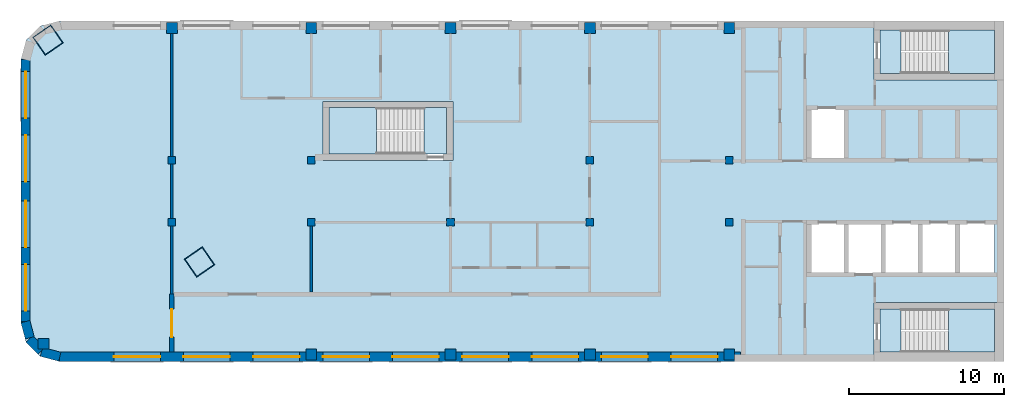
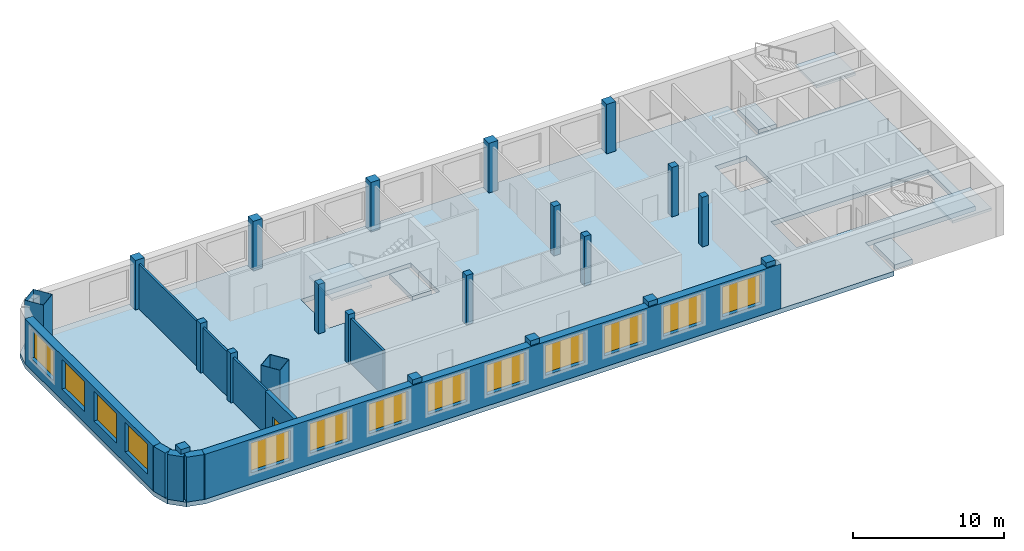
# One storey, part 1 of 5: 21 columns, 13 windows, 8 walls, 7 slabs, 1 door, 14 openings, 3 elements without a shape of their own.
"""IFC4 building model written with IfcOpenShell, lengths in metres."""

import ifcopenshell
import ifcopenshell.guid

model = None  # the IFC model being written
_history = None  # IfcOwnerHistory: only IFC2X3 demands one
_inside = {}  # id of a spatial element -> (the spatial element, [elements in it])
_under = {}  # id of a project, library or spatial element -> (it, [spatial elements below it])
_declared = {}  # id of a project -> (the project, [libraries it declares])
_typed = {}  # id of a type object -> (the type object, [elements of that type])
_made_of = {}  # id of a material, layer set ... -> (it, [elements and type objects made of it])


def new_model(schema):
    """Start an empty IFC model of exactly this schema.

    Asked for "IFC4X3", IfcOpenShell would pick the latest addendum, in which some entities
    have other attributes; the version numbers below select the first issue.
    IFC2X3 requires an IfcOwnerHistory on every rooted entity: one is made here for all.
    """
    global model, _history
    if schema == "IFC4X3":
        model = ifcopenshell.file(schema_version=(4, 3, 0, 0))
    else:
        model = ifcopenshell.file(schema=schema)
    _inside.clear()
    _under.clear()
    _declared.clear()
    _typed.clear()
    _made_of.clear()
    _history = None
    if model.schema == "IFC2X3":
        org = make("IfcOrganization", Name="unknown")
        user = make(
            "IfcPersonAndOrganization",
            ThePerson=make("IfcPerson", FamilyName="unknown"),
            TheOrganization=org,
        )
        app = make(
            "IfcApplication",
            ApplicationDeveloper=org,
            Version="unknown",
            ApplicationFullName="unknown",
            ApplicationIdentifier="unknown",
        )
        _history = make(
            "IfcOwnerHistory",
            OwningUser=user,
            OwningApplication=app,
            ChangeAction="ADDED",
            CreationDate=0,
        )
    return model


def make(cls, **values):
    """One entity of the class cls with the attributes given. An attribute that is None is left unset."""
    return model.create_entity(
        cls, **{name: value for name, value in values.items() if value is not None}
    )


def rooted(cls, **values):
    """An entity with a GlobalId (a new one), such as an element, a storey or a relation."""
    return make(cls, GlobalId=ifcopenshell.guid.new(), OwnerHistory=_history, **values)


def si_unit(unit_type, name, prefix=None):
    """IfcSIUnit, for example si_unit("LENGTHUNIT", "METRE", prefix="MILLI")."""
    return make("IfcSIUnit", UnitType=unit_type, Prefix=prefix, Name=name)


def assignment(units):
    """IfcUnitAssignment: the units of a project."""
    return None if units is None else make("IfcUnitAssignment", Units=units)


def point(xyz):
    """IfcCartesianPoint."""
    return None if xyz is None else make("IfcCartesianPoint", Coordinates=xyz)


def direction(xyz):
    """IfcDirection."""
    return None if xyz is None else make("IfcDirection", DirectionRatios=xyz)


def frame(location, z_axis=None, x_axis=None):
    """IfcAxis2Placement3D, a coordinate frame: its origin and axes. An axis left out is left unset."""
    return make(
        "IfcAxis2Placement3D",
        Location=point(location),
        Axis=direction(z_axis),
        RefDirection=direction(x_axis),
    )


def frame_2d(location, x_axis=None):
    """IfcAxis2Placement2D, a coordinate frame in the plane: its origin and x axis."""
    return make(
        "IfcAxis2Placement2D", Location=point(location), RefDirection=direction(x_axis)
    )


def origin():
    """The frame at (0, 0, 0) with its axes left unset."""
    return frame((0.0, 0.0, 0.0))


def origin_2d():
    """The frame at (0, 0) in the plane with its x axis left unset."""
    return frame_2d((0.0, 0.0))


def place(relative_to, where):
    """IfcLocalPlacement: puts the frame where relative to a parent placement (None: the world)."""
    return make(
        "IfcLocalPlacement", PlacementRelTo=relative_to, RelativePlacement=where
    )


def context(
    kind, dimensions, precision=None, world=None, true_north=None, identifier=None
):
    """IfcGeometricRepresentationContext, for example the 3D "Model" context."""
    return make(
        "IfcGeometricRepresentationContext",
        ContextIdentifier=identifier,
        ContextType=kind,
        CoordinateSpaceDimension=dimensions,
        Precision=precision,
        WorldCoordinateSystem=world,
        TrueNorth=true_north,
    )


def subcontext(parent, identifier, kind, view, scale=None):
    """IfcGeometricRepresentationSubContext, for example "Body" below "Model"."""
    return make(
        "IfcGeometricRepresentationSubContext",
        ContextIdentifier=identifier,
        ContextType=kind,
        ParentContext=parent,
        TargetScale=scale,
        TargetView=view,
    )


def project(units=None, contexts=None):
    """IfcProject with its units and contexts."""
    return rooted(
        "IfcProject",
        Name="project",
        RepresentationContexts=contexts,
        UnitsInContext=assignment(units),
    )


def spatial(cls, under=None, at=None, **own):
    """A site, building, storey or space (cls), placed at a placement, below another one or the project."""
    s = rooted(cls, ObjectPlacement=at, **own)
    if under is not None:
        _under.setdefault(under.id(), (under, []))[1].append(s)
    return s


def polyline(points):
    """IfcPolyline through the points."""
    return make("IfcPolyline", Points=[point(p) for p in points])


def profile(cls, at=None, kind="AREA", **sizes):
    """A parametric profile (cls). Its sizes go by their IFC names, for example OverallWidth=200.0."""
    return make(cls, ProfileType=kind, Position=at, **sizes)


def rectangle(**sizes):
    """IfcRectangleProfileDef."""
    return profile("IfcRectangleProfileDef", **sizes)


def hollow_rectangle(**sizes):
    """IfcRectangleHollowProfileDef."""
    return profile("IfcRectangleHollowProfileDef", **sizes)


def outline(outer, holes=None, kind="AREA"):
    """IfcArbitraryClosedProfileDef: a profile drawn as a closed curve; with holes, ...WithVoids."""
    if holes is None:
        return make("IfcArbitraryClosedProfileDef", ProfileType=kind, OuterCurve=outer)
    return make(
        "IfcArbitraryProfileDefWithVoids",
        ProfileType=kind,
        OuterCurve=outer,
        InnerCurves=holes,
    )


def extrude(swept, where, along, depth):
    """IfcExtrudedAreaSolid: the profile swept, set in the frame where, extruded along a direction by depth."""
    return make(
        "IfcExtrudedAreaSolid",
        SweptArea=swept,
        Position=where,
        ExtrudedDirection=direction(along),
        Depth=depth,
    )


def shape(context_of_items, identifier, shape_type, items):
    """IfcShapeRepresentation: the items that make up one representation, for example the "Body"."""
    return make(
        "IfcShapeRepresentation",
        ContextOfItems=context_of_items,
        RepresentationIdentifier=identifier,
        RepresentationType=shape_type,
        Items=items,
    )


def material(Name=None, Category=None):
    """IfcMaterial."""
    return make("IfcMaterial", Name=Name, Category=Category)


def layer(
    of_material, thickness, ventilated=None, Name=None, Category=None, Priority=None
):
    """IfcMaterialLayer: one layer of a wall or slab, of a material (None: an air gap)."""
    return make(
        "IfcMaterialLayer",
        Material=of_material,
        LayerThickness=thickness,
        IsVentilated=ventilated,
        Name=Name,
        Category=Category,
        Priority=Priority,
    )


def layer_set(layers, Name=None):
    """IfcMaterialLayerSet."""
    return make("IfcMaterialLayerSet", MaterialLayers=layers, LayerSetName=Name)


def material_profile(
    of_material, cross_section, Name=None, Category=None, Priority=None
):
    """IfcMaterialProfile: a cross section and its material."""
    return make(
        "IfcMaterialProfile",
        Name=Name,
        Material=of_material,
        Profile=cross_section,
        Priority=Priority,
        Category=Category,
    )


def profile_set(profiles, Name=None, composite=None):
    """IfcMaterialProfileSet."""
    return make(
        "IfcMaterialProfileSet",
        Name=Name,
        MaterialProfiles=profiles,
        CompositeProfile=composite,
    )


def made_of(thing, what):
    """Note that an element or type object is made of a material, layer set ...; save() writes the relation."""
    if what is not None:
        _made_of.setdefault(what.id(), (what, []))[1].append(thing)
    return thing


def type_object(cls, material=None, **own):
    """A type object (cls), such as IfcWallType, which elements share."""
    return made_of(rooted(cls, **own), material)


def element(
    cls,
    number,
    at=None,
    inside=None,
    cuts=None,
    type_object=None,
    material=None,
    context=None,
    identifier="Body",
    shape_type=None,
    held_by="IfcProductDefinitionShape",
    body=None,
    shapes=None,
    **own,
):
    """One element of the class cls, such as IfcWall. Its Tag is "e" and its number.

    at: its placement. inside: the storey or other place that contains it. cuts: it is an
    opening in that element (IfcRelVoidsElement). A single representation is given by context,
    identifier, shape_type and body (its items); several are given by shapes. held_by: the class
    of the entity that holds the representations. save() writes the other relations.
    """
    e = rooted(cls, Tag="e%d" % number, ObjectPlacement=at, **own)
    if body is not None:
        shapes = [shape(context, identifier, shape_type, body)]
    if shapes is not None:
        e.Representation = make(held_by, Representations=shapes)
    if inside is not None:
        _inside.setdefault(inside.id(), (inside, []))[1].append(e)
    if cuts is not None:
        rooted(
            "IfcRelVoidsElement", RelatingBuildingElement=cuts, RelatedOpeningElement=e
        )
    if type_object is not None:
        _typed.setdefault(type_object.id(), (type_object, []))[1].append(e)
    return made_of(e, material)


def fill(opening, filler):
    """IfcRelFillsElement: the door or window that sits in an opening."""
    return rooted(
        "IfcRelFillsElement",
        RelatingOpeningElement=opening,
        RelatedBuildingElement=filler,
    )


def aggregate(whole, parts):
    """IfcRelAggregates: a whole, such as a stair, and the parts it consists of."""
    return rooted("IfcRelAggregates", RelatingObject=whole, RelatedObjects=parts)


def save(model, path):
    """Write the relations noted so far, then the file.

    IfcRelAggregates (storeys below a building ...), IfcRelContainedInSpatialStructure (elements
    in a storey), IfcRelDefinesByType, IfcRelAssociatesMaterial and IfcRelDeclares: one each for
    every whole, place, type object, material and project.
    """
    for whole, parts in _under.values():
        aggregate(whole, parts)
    for where, things in _inside.values():
        rooted(
            "IfcRelContainedInSpatialStructure",
            RelatedElements=things,
            RelatingStructure=where,
        )
    for kind, things in _typed.values():
        rooted("IfcRelDefinesByType", RelatedObjects=things, RelatingType=kind)
    for what, things in _made_of.values():
        rooted("IfcRelAssociatesMaterial", RelatedObjects=things, RelatingMaterial=what)
    for by, libraries in _declared.values():
        rooted("IfcRelDeclares", RelatingContext=by, RelatedDefinitions=libraries)
    model.write(path)


model = new_model("IFC4")

# Units and contexts
model_context = context("Model", 3, precision=1e-05, world=origin(), true_north=direction((0.0, 1.0)))
body_context = subcontext(model_context, "Body", "Model", "MODEL_VIEW")
ifc_project = project(units=[si_unit("LENGTHUNIT", "METRE"), si_unit("AREAUNIT", "SQUARE_METRE"), si_unit("VOLUMEUNIT", "CUBIC_METRE"), si_unit("PLANEANGLEUNIT", "RADIAN"), si_unit("MASSUNIT", "GRAM", prefix="KILO")], contexts=[model_context])

# Site, building, storey
site_placement = place(None, origin())
site = spatial("IfcSite", under=ifc_project, at=site_placement, CompositionType="ELEMENT")
building_placement = place(site_placement, origin())
building = spatial("IfcBuilding", under=site, at=building_placement, Name="Skarvind Civic Tower", CompositionType="ELEMENT")
storey_placement = place(building_placement, frame((0.0, 0.0, 261.5)))
storey = spatial("IfcBuildingStorey", under=building, at=storey_placement, Name="L62", CompositionType="ELEMENT", Elevation=261.5)

# Columns
ifc_material_1 = material(Name="Concrete C60", Category="concrete")
ifc_material_profile_1 = material_profile(ifc_material_1, rectangle(XDim=0.5, YDim=0.5, at=origin_2d()), Name="RC-500x500")
ifc_profile_set_1 = profile_set([ifc_material_profile_1], Name="Concrete C60")
column_type_1 = type_object("IfcColumnType", Name="Column RC-500x500 C60", PredefinedType="COLUMN", material=ifc_profile_set_1)
for number, where, z_axis, x_axis, name in (
    (1, (54.25, 130.0, 0.0), (0.0, 0.0, 1.0), (1.0, 0.0, 0.0), "Column wing 1 north inner 02 L62"),
    (2, (63.25, 130.0, 0.0), (0.0, 0.0, 1.0), (1.0, 0.0, 0.0), "Column wing 1 north inner 03 L62"),
    (3, (81.25, 130.0, 0.0), (0.0, 0.0, 1.0), (1.0, 0.0, 0.0), "Column wing 1 north inner 05 L62"),
    (4, (90.25, 130.0, 0.0), (0.0, 0.0, 1.0), (1.0, 0.0, 0.0), "Column wing 1 north inner 06 L62"),
    (5, (54.25, 126.0, 0.0), (0.0, 0.0, 1.0), (1.0, 0.0, 0.0), "Column wing 1 south inner 02 L62"),
    (6, (63.25, 126.0, 0.0), (0.0, 0.0, 1.0), (1.0, 0.0, 0.0), "Column wing 1 south inner 03 L62"),
    (7, (72.25, 126.0, 0.0), (0.0, 0.0, 1.0), (1.0, 0.0, 0.0), "Column wing 1 south inner 04 L62"),
    (8, (81.25, 126.0, 0.0), (0.0, 0.0, 1.0), (1.0, 0.0, 0.0), "Column wing 1 south inner 05 L62"),
    (9, (90.25, 126.0, 0.0), (0.0, 0.0, 1.0), (1.0, 0.0, 0.0), "Column wing 1 south inner 06 L62"),
):
    element("IfcColumn", number, at=place(storey_placement, frame(where, z_axis=z_axis, x_axis=x_axis)), inside=storey, type_object=column_type_1, Name=name, PredefinedType="COLUMN", context=body_context, shape_type="SweptSolid", body=[
        extrude(rectangle(XDim=0.5, YDim=0.5, at=origin_2d()), origin(), (0.0, 0.0, 1.0), 4.0),
    ])
ifc_material_profile_2 = material_profile(ifc_material_1, rectangle(XDim=0.699951171875, YDim=0.699951171875, at=origin_2d()), Name="RC-700x700")
ifc_profile_set_2 = profile_set([ifc_material_profile_2], Name="Concrete C60")
column_type_2 = type_object("IfcColumnType", Name="Column RC-700x700 C60", PredefinedType="COLUMN", material=ifc_profile_set_2)
for number, where, z_axis, x_axis, name in (
    (10, (54.25, 138.550048828125, 0.0), (0.0, 0.0, 1.0), (1.0, 0.0, 0.0), "Column wing 1 north perimeter 02 L62"),
    (11, (63.25, 138.550048828125, 0.0), (0.0, 0.0, 1.0), (1.0, 0.0, 0.0), "Column wing 1 north perimeter 03 L62"),
    (12, (72.25, 138.550048828125, 0.0), (0.0, 0.0, 1.0), (1.0, 0.0, 0.0), "Column wing 1 north perimeter 04 L62"),
    (13, (81.25, 138.550048828125, 0.0), (0.0, 0.0, 1.0), (1.0, 0.0, 0.0), "Column wing 1 north perimeter 05 L62"),
    (14, (90.25, 138.550048828125, 0.0), (0.0, 0.0, 1.0), (1.0, 0.0, 0.0), "Column wing 1 north perimeter 06 L62"),
    (15, (45.95166015625, 118.151611328125, 0.0), (0.0, 0.0, 1.0), (1.0, 0.0, 0.0), "Column wing 1 south perimeter 01 L62"),
    (16, (63.25, 117.449951171875, 0.0), (0.0, 0.0, 1.0), (1.0, 0.0, 0.0), "Column wing 1 south perimeter 03 L62"),
    (17, (72.25, 117.449951171875, 0.0), (0.0, 0.0, 1.0), (1.0, 0.0, 0.0), "Column wing 1 south perimeter 04 L62"),
    (18, (81.25, 117.449951171875, 0.0), (0.0, 0.0, 1.0), (1.0, 0.0, 0.0), "Column wing 1 south perimeter 05 L62"),
    (19, (90.25, 117.449951171875, 0.0), (0.0, 0.0, 1.0), (1.0, 0.0, 0.0), "Column wing 1 south perimeter 06 L62"),
):
    element("IfcColumn", number, at=place(storey_placement, frame(where, z_axis=z_axis, x_axis=x_axis)), inside=storey, type_object=column_type_2, Name=name, PredefinedType="COLUMN", context=body_context, shape_type="SweptSolid", body=[
        extrude(rectangle(XDim=0.699951171875, YDim=0.699951171875, at=origin_2d()), origin(), (0.0, 0.0, 1.0), 4.0),
    ])
ifc_material_2 = material(Name="Composite concrete-filled steel tube, Steel SM355 with Concrete C60", Category="concrete")
ifc_material_profile_3 = material_profile(ifc_material_2, hollow_rectangle(XDim=1.39990234375, YDim=1.39990234375, WallThickness=0.02490234375, at=origin_2d()), Name="BOX-1400x1400x25")
ifc_profile_set_3 = profile_set([ifc_material_profile_3], Name="Composite concrete-filled steel tube, Steel SM355 with Concrete C60")
column_type_3 = type_object("IfcColumnType", Name="Mega column BOX-1400x1400x25 filled C60", PredefinedType="COLUMN", material=ifc_profile_set_3)
for number, where, z_axis, x_axis, name in (
    (20, (46.2470703125, 137.762451171875, 0.0), (0.0, 0.0, 1.0), (0.573576436351, -0.819152044289, 0.0), "Mega column 2 L62"),
    (21, (56.0361328125, 123.43017578125, 0.0), (0.0, 0.0, 1.0), (0.573576436351, -0.819152044289, 0.0), "Mega column 4 L62"),
):
    element("IfcColumn", number, at=place(storey_placement, frame(where, z_axis=z_axis, x_axis=x_axis)), inside=storey, type_object=column_type_3, Name=name, PredefinedType="COLUMN", context=body_context, shape_type="SweptSolid", body=[
        extrude(hollow_rectangle(XDim=1.39990234375, YDim=1.39990234375, WallThickness=0.02490234375, at=origin_2d()), origin(), (0.0, 0.0, 1.0), 4.0),
    ])

# Slabs
ifc_material_3 = material(Name="Concrete C50", Category="concrete")
ifc_layer_1 = layer(ifc_material_3, 0.375)
ifc_layer_set_1 = layer_set([ifc_layer_1], Name="Floor slab 375 C50")
slab_type_1 = type_object("IfcSlabType", Name="Floor slab 375 C50", PredefinedType="FLOOR", material=ifc_layer_set_1)
slab_1_placement = place(storey_placement, frame((0.0, 0.0, -0.375)))
element("IfcSlab", 22, at=slab_1_placement, inside=storey, type_object=slab_type_1, Name="Floor slab L62 1", PredefinedType="FLOOR", context=body_context, shape_type="SweptSolid", body=[
    extrude(outline(polyline([(99.60009765625, 117.0), (99.60009765625, 120.800048828125), (108.0, 120.800048828125), (108.0, 135.199951171875), (99.60009765625, 135.199951171875), (99.60009765625, 139.0), (47.0, 139.0), (45.75, 138.6650390625), (44.8349609375, 137.75), (44.5, 136.5), (44.5, 119.5), (44.8349609375, 118.25), (45.75, 117.3349609375), (47.0, 117.0), (99.60009765625, 117.0)]), holes=[polyline([(95.39990234375, 126.0), (97.800048828125, 126.0), (100.199951171875, 126.0), (102.60009765625, 126.0), (105.0, 126.0), (107.39990234375, 126.0), (107.39990234375, 122.60009765625), (105.0, 122.60009765625), (102.60009765625, 122.60009765625), (100.199951171875, 122.60009765625), (97.800048828125, 122.60009765625), (95.39990234375, 122.60009765625), (95.39990234375, 126.0)]), polyline([(95.39990234375, 133.39990234375), (97.800048828125, 133.39990234375), (97.800048828125, 130.0), (95.39990234375, 130.0), (95.39990234375, 133.39990234375)]), polyline([(64.0, 130.0), (64.0, 133.800048828125), (72.39990234375, 133.800048828125), (72.39990234375, 130.0), (64.0, 130.0)])]), origin(), (0.0, 0.0, 1.0), 0.375),
])
ifc_material_4 = material(Name="Concrete C40/50", Category="concrete")
ifc_layer_2 = layer(ifc_material_4, 0.375)
ifc_layer_set_2 = layer_set([ifc_layer_2], Name="Stair floor landing slab 375")
slab_type_2 = type_object("IfcSlabType", Name="Stair floor landing slab 375", PredefinedType="LANDING", material=ifc_layer_set_2)
slab_2_placement = place(storey_placement, frame((0.0, 0.0, -0.375)))
element("IfcSlab", 23, at=slab_2_placement, inside=storey, type_object=slab_type_2, Name="Stair floor landing", PredefinedType="LANDING", context=body_context, shape_type="SweptSolid", body=[
    extrude(outline(polyline([(101.3505859375, 138.400634765625), (101.3505859375, 135.599365234375), (99.99951171875, 135.599365234375), (99.99951171875, 138.400634765625), (101.3505859375, 138.400634765625)])), origin(), (0.0, 0.0, 1.0), 0.375),
])
slab_3_placement = place(storey_placement, frame((0.0, 0.0, -0.375)))
element("IfcSlab", 24, at=slab_3_placement, inside=storey, type_object=slab_type_2, Name="Stair floor landing", PredefinedType="LANDING", context=body_context, shape_type="SweptSolid", body=[
    extrude(outline(polyline([(101.3505859375, 120.400634765625), (101.3505859375, 117.599365234375), (99.99951171875, 117.599365234375), (99.99951171875, 120.400634765625), (101.3505859375, 120.400634765625)])), origin(), (0.0, 0.0, 1.0), 0.375),
])
slab_4_placement = place(storey_placement, frame((0.0, 0.0, -0.375)))
element("IfcSlab", 25, at=slab_4_placement, inside=storey, type_object=slab_type_2, Name="Stair floor landing", PredefinedType="LANDING", context=body_context, shape_type="SweptSolid", body=[
    extrude(outline(polyline([(70.54931640625, 130.3994140625), (70.54931640625, 133.400634765625), (72.00048828125, 133.400634765625), (72.00048828125, 130.3994140625), (70.54931640625, 130.3994140625)])), origin(), (0.0, 0.0, 1.0), 0.375),
])

# Stair, slab
stair_type_1 = type_object("IfcStairType", Name="Exit stair, half-turn, concrete", PredefinedType="HALF_TURN_STAIR", material=ifc_material_4)
stair_1_placement = place(storey_placement, origin())
stair_1 = element("IfcStair", 26, at=stair_1_placement, inside=storey, type_object=stair_type_1, Name="Exit stair C1S", PredefinedType="HALF_TURN_STAIR")
ifc_layer_3 = layer(ifc_material_4, 0.199951171875)
ifc_layer_set_3 = layer_set([ifc_layer_3], Name="Stair half landing slab")
slab_type_3 = type_object("IfcSlabType", Name="Stair half landing slab", PredefinedType="LANDING", material=ifc_layer_set_3)
slab_5_placement = place(storey_placement, frame((0.0, 0.0, 1.800048828125)))
slab_5 = element("IfcSlab", 27, at=slab_5_placement, type_object=slab_type_3, Name="ST-C1S landing 1", PredefinedType="LANDING", context=body_context, shape_type="SweptSolid", body=[
    extrude(outline(polyline([(104.429443359375, 135.599365234375), (104.429443359375, 138.400634765625), (107.400634765625, 138.400634765625), (107.400634765625, 135.599365234375), (104.429443359375, 135.599365234375)])), origin(), (0.0, 0.0, 1.0), 0.199951171875),
])
aggregate(stair_1, [slab_5])

stair_2_placement = place(storey_placement, origin())
stair_2 = element("IfcStair", 28, at=stair_2_placement, inside=storey, type_object=stair_type_1, Name="Exit stair C1N", PredefinedType="HALF_TURN_STAIR")
slab_6_placement = place(storey_placement, frame((0.0, 0.0, 1.800048828125)))
slab_6 = element("IfcSlab", 29, at=slab_6_placement, type_object=slab_type_3, Name="ST-C1N landing 1", PredefinedType="LANDING", context=body_context, shape_type="SweptSolid", body=[
    extrude(outline(polyline([(104.429443359375, 117.599365234375), (104.429443359375, 120.400634765625), (107.400634765625, 120.400634765625), (107.400634765625, 117.599365234375), (104.429443359375, 117.599365234375)])), origin(), (0.0, 0.0, 1.0), 0.199951171875),
])
aggregate(stair_2, [slab_6])

stair_type_2 = type_object("IfcStairType", Name="Exit stair 1450, half-turn, concrete", PredefinedType="HALF_TURN_STAIR", material=ifc_material_4)
stair_3_placement = place(storey_placement, origin())
stair_3 = element("IfcStair", 30, at=stair_3_placement, inside=storey, type_object=stair_type_2, Name="Exit stair CM", PredefinedType="HALF_TURN_STAIR")
slab_7_placement = place(storey_placement, frame((0.0, 0.0, 1.800048828125)))
slab_7 = element("IfcSlab", 31, at=slab_7_placement, type_object=slab_type_3, Name="ST-CM landing 1", PredefinedType="LANDING", context=body_context, shape_type="SweptSolid", body=[
    extrude(outline(polyline([(67.470703125, 133.400634765625), (67.470703125, 130.3994140625), (64.3994140625, 130.3994140625), (64.3994140625, 133.400634765625), (67.470703125, 133.400634765625)])), origin(), (0.0, 0.0, 1.0), 0.199951171875),
])
aggregate(stair_3, [slab_7])

# Wall
ifc_material_5 = material(Name="Acoustic gypsum board on steel studs", Category="steel")
ifc_layer_4 = layer(ifc_material_5, 0.175048828125)
ifc_layer_set_4 = layer_set([ifc_layer_4], Name="ACOUSTIC MEETING-ROOM PARTITION 175")
wall_type_1 = type_object("IfcWallType", Name="ACOUSTIC MEETING-ROOM PARTITION 175", PredefinedType="PARTITIONING", material=ifc_layer_set_4)
wall_1_placement = place(storey_placement, frame((63.25, 125.912109375, 0.0), z_axis=(0.0, 0.0, 1.0), x_axis=(0.0, -1.0, 0.0)))
element("IfcWall", 32, at=wall_1_placement, inside=storey, type_object=wall_type_1, Name="Partition 62.006", PredefinedType="PARTITIONING", context=body_context, shape_type="SweptSolid", body=[
    extrude(rectangle(XDim=4.412109375, YDim=0.175048828125, at=frame_2d((2.2060546875, 0.0))), origin(), (0.0, 0.0, 1.0), 3.625),
])

# Wall, opening, door
ifc_material_6 = material(Name="Fire-rated gypsum board on steel studs", Category="steel")
ifc_layer_5 = layer(ifc_material_6, 0.300048828125)
ifc_layer_set_5 = layer_set([ifc_layer_5], Name="CORRIDOR WALL 300")
wall_type_2 = type_object("IfcWallType", Name="CORRIDOR WALL 300", PredefinedType="PARTITIONING", material=ifc_layer_set_5)
wall_2_placement = place(storey_placement, frame((54.25, 117.60009765625, 0.0), z_axis=(0.0, 0.0, 1.0), x_axis=(0.0, 1.0, 0.0)))
wall_2 = element("IfcWall", 33, at=wall_2_placement, inside=storey, type_object=wall_type_2, Name="Partition 62.001", PredefinedType="PARTITIONING", context=body_context, shape_type="SweptSolid", body=[
    extrude(rectangle(XDim=3.75, YDim=0.300048828125, at=frame_2d((1.875, 0.0))), origin(), (0.0, 0.0, 1.0), 3.625),
])
opening_1_placement = place(wall_2_placement, frame((0.9765625, 0.0, 0.0)))
opening_1 = element("IfcOpeningElement", 34, at=opening_1_placement, cuts=wall_2, Name="Opening L62-D013", PredefinedType="OPENING", context=body_context, shape_type="SweptSolid", body=[
    extrude(rectangle(XDim=1.800048828125, YDim=2.10009765625, at=frame_2d((0.89990234375, 1.050048828125))), frame((0.0, 0.159912109375, 0.0), z_axis=(0.0, -1.0, 0.0), x_axis=(1.0, 0.0, 0.0)), (0.0, 0.0, 1.0), 0.320068359375),
])
ifc_material_7 = material(Name="Fire-rated timber door leaf", Category="wood")
door_type = type_object("IfcDoorType", Name="FD4 1800x2100", OperationType="NOTDEFINED", PredefinedType="DOOR", material=ifc_material_7)
door_placement = place(opening_1_placement, origin())
door = element("IfcDoor", 35, at=door_placement, inside=storey, type_object=door_type, Name="Door L62-D013", OperationType="DOUBLE_DOOR_SINGLE_SWING", OverallHeight=2.10009765625, OverallWidth=1.800048828125, PredefinedType="DOOR", context=body_context, shape_type="SweptSolid", body=[
    extrude(rectangle(XDim=1.800048828125, YDim=2.10009765625, at=frame_2d((0.89990234375, 1.050048828125))), frame((0.0, 0.02490234375, 0.0), z_axis=(0.0, -1.0, 0.0), x_axis=(1.0, 0.0, 0.0)), (0.0, 0.0, 1.0), 0.050048828125),
])
fill(opening_1, door)

# Wall
ifc_material_8 = material(Name="Plasterboard partition on steel studs", Category="steel")
ifc_layer_6 = layer(ifc_material_8, 0.14990234375)
ifc_layer_set_6 = layer_set([ifc_layer_6], Name="PARTITION 150")
wall_type_3 = type_object("IfcWallType", Name="PARTITION 150", PredefinedType="PARTITIONING", material=ifc_layer_set_6)
wall_3_placement = place(storey_placement, frame((54.25, 138.39990234375, 0.0), z_axis=(0.0, 0.0, 1.0), x_axis=(0.0, -1.0, 0.0)))
element("IfcWall", 36, at=wall_3_placement, inside=storey, type_object=wall_type_3, Name="Partition 62.003", PredefinedType="PARTITIONING", context=body_context, shape_type="SweptSolid", body=[
    extrude(rectangle(XDim=17.0498046875, YDim=0.14990234375, at=frame_2d((8.52490234375, 0.0))), origin(), (0.0, 0.0, 1.0), 3.625),
])

# Wall, openings, windows
ifc_material_9 = material(Name="Standing-seam zinc cladding on insulated backing")
ifc_layer_7 = layer(ifc_material_9, 0.60009765625)
ifc_layer_set_7 = layer_set([ifc_layer_7], Name="WX2 ZINC-CLAD FACADE WALL 600")
wall_type_4 = type_object("IfcWallType", Name="WX2 ZINC-CLAD FACADE WALL 600", PredefinedType="SOLIDWALL", material=ifc_layer_set_7)
wall_4_placement = place(storey_placement, frame((44.800048828125, 119.570068359375, 0.0), z_axis=(0.0, 0.0, 1.0), x_axis=(0.0, 1.0, 0.0)))
wall_4 = element("IfcWall", 37, at=wall_4_placement, inside=storey, type_object=wall_type_4, Name="ZINC-CLAD FACADE WALL", PredefinedType="SOLIDWALL", context=body_context, shape_type="SweptSolid", body=[
    extrude(rectangle(XDim=16.929931640625, YDim=0.60009765625, at=frame_2d((8.46484375, 0.0))), origin(), (0.0, 0.0, 1.0), 3.625),
])
opening_2_placement = place(wall_4_placement, frame((0.705078125, 0.0, 0.89990234375)))
opening_2 = element("IfcOpeningElement", 38, at=opening_2_placement, cuts=wall_4, Name="Opening WN4", PredefinedType="OPENING", context=body_context, shape_type="SweptSolid", body=[
    extrude(rectangle(XDim=3.0, YDim=2.39990234375, at=frame_2d((1.5, 1.199951171875))), frame((0.0, 0.31005859375, 0.0), z_axis=(0.0, -1.0, 0.0), x_axis=(1.0, 0.0, 0.0)), (0.0, 0.0, 1.0), 0.6201171875),
])
opening_3_placement = place(wall_4_placement, frame((4.804931640625, 0.0, 0.89990234375)))
opening_3 = element("IfcOpeningElement", 39, at=opening_3_placement, cuts=wall_4, Name="Opening WN4", PredefinedType="OPENING", context=body_context, shape_type="SweptSolid", body=[
    extrude(rectangle(XDim=3.0, YDim=2.39990234375, at=frame_2d((1.5, 1.199951171875))), frame((0.0, 0.31005859375, 0.0), z_axis=(0.0, -1.0, 0.0), x_axis=(1.0, 0.0, 0.0)), (0.0, 0.0, 1.0), 0.6201171875),
])
opening_4_placement = place(wall_4_placement, frame((9.054931640625, 0.0, 0.89990234375)))
opening_4 = element("IfcOpeningElement", 40, at=opening_4_placement, cuts=wall_4, Name="Opening WN4", PredefinedType="OPENING", context=body_context, shape_type="SweptSolid", body=[
    extrude(rectangle(XDim=3.0, YDim=2.39990234375, at=frame_2d((1.5, 1.199951171875))), frame((0.0, 0.31005859375, 0.0), z_axis=(0.0, -1.0, 0.0), x_axis=(1.0, 0.0, 0.0)), (0.0, 0.0, 1.0), 0.6201171875),
])
opening_5_placement = place(wall_4_placement, frame((13.155029296875, 0.0, 0.89990234375)))
opening_5 = element("IfcOpeningElement", 41, at=opening_5_placement, cuts=wall_4, Name="Opening WN4", PredefinedType="OPENING", context=body_context, shape_type="SweptSolid", body=[
    extrude(rectangle(XDim=3.0, YDim=2.39990234375, at=frame_2d((1.5, 1.199951171875))), frame((0.0, 0.31005859375, 0.0), z_axis=(0.0, -1.0, 0.0), x_axis=(1.0, 0.0, 0.0)), (0.0, 0.0, 1.0), 0.6201171875),
])
ifc_material_10 = material(Name="Timber frame, double glazing, copper-lined reveal", Category="wood")
window_type = type_object("IfcWindowType", Name="WN4 COPPER-LINED WINDOW 3000 x 2400", PartitioningType="SINGLE_PANEL", PredefinedType="WINDOW", material=ifc_material_10)
window_1_placement = place(opening_2_placement, origin())
window_1 = element("IfcWindow", 42, at=window_1_placement, inside=storey, type_object=window_type, Name="WN4 WINDOW", OverallHeight=2.39990234375, OverallWidth=3.0, PartitioningType="SINGLE_PANEL", PredefinedType="WINDOW", context=body_context, shape_type="SweptSolid", body=[
    extrude(rectangle(XDim=3.0, YDim=2.39990234375, at=frame_2d((1.5, 1.199951171875))), frame((0.0, 0.030029296875, 0.0), z_axis=(0.0, -1.0, 0.0), x_axis=(1.0, 0.0, 0.0)), (0.0, 0.0, 1.0), 0.06005859375),
])
fill(opening_2, window_1)
window_2_placement = place(opening_3_placement, origin())
window_2 = element("IfcWindow", 43, at=window_2_placement, inside=storey, type_object=window_type, Name="WN4 WINDOW", OverallHeight=2.39990234375, OverallWidth=3.0, PartitioningType="SINGLE_PANEL", PredefinedType="WINDOW", context=body_context, shape_type="SweptSolid", body=[
    extrude(rectangle(XDim=3.0, YDim=2.39990234375, at=frame_2d((1.5, 1.199951171875))), frame((0.0, 0.030029296875, 0.0), z_axis=(0.0, -1.0, 0.0), x_axis=(1.0, 0.0, 0.0)), (0.0, 0.0, 1.0), 0.06005859375),
])
fill(opening_3, window_2)
window_3_placement = place(opening_4_placement, origin())
window_3 = element("IfcWindow", 44, at=window_3_placement, inside=storey, type_object=window_type, Name="WN4 WINDOW", OverallHeight=2.39990234375, OverallWidth=3.0, PartitioningType="SINGLE_PANEL", PredefinedType="WINDOW", context=body_context, shape_type="SweptSolid", body=[
    extrude(rectangle(XDim=3.0, YDim=2.39990234375, at=frame_2d((1.5, 1.199951171875))), frame((0.0, 0.030029296875, 0.0), z_axis=(0.0, -1.0, 0.0), x_axis=(1.0, 0.0, 0.0)), (0.0, 0.0, 1.0), 0.06005859375),
])
fill(opening_4, window_3)
window_4_placement = place(opening_5_placement, origin())
window_4 = element("IfcWindow", 45, at=window_4_placement, inside=storey, type_object=window_type, Name="WN4 WINDOW", OverallHeight=2.39990234375, OverallWidth=3.0, PartitioningType="SINGLE_PANEL", PredefinedType="WINDOW", context=body_context, shape_type="SweptSolid", body=[
    extrude(rectangle(XDim=3.0, YDim=2.39990234375, at=frame_2d((1.5, 1.199951171875))), frame((0.0, 0.030029296875, 0.0), z_axis=(0.0, -1.0, 0.0), x_axis=(1.0, 0.0, 0.0)), (0.0, 0.0, 1.0), 0.06005859375),
])
fill(opening_5, window_4)

# Walls
wall_5_placement = place(storey_placement, frame((45.0703125, 118.530517578125, 0.0), z_axis=(0.0, 0.0, 1.0), x_axis=(-0.25876985698, 0.965939004864, 0.0)))
element("IfcWall", 46, at=wall_5_placement, inside=storey, type_object=wall_type_4, Name="ZINC-CLAD FACADE WALL", PredefinedType="SOLIDWALL", context=body_context, shape_type="SweptSolid", body=[
    extrude(rectangle(XDim=1.083984375, YDim=0.60009765625, at=frame_2d((0.5419921875, 0.0))), origin(), (0.0, 0.0, 1.0), 3.625),
])
wall_6_placement = place(storey_placement, frame((45.813720703125, 117.695556640625, 0.0), z_axis=(0.0, 0.0, 1.0), x_axis=(-0.707106781187, 0.707106781187, 0.0)))
element("IfcWall", 47, at=wall_6_placement, inside=storey, type_object=wall_type_4, Name="ZINC-CLAD FACADE WALL", PredefinedType="SOLIDWALL", context=body_context, shape_type="SweptSolid", body=[
    extrude(rectangle(XDim=1.084228515625, YDim=0.60009765625, at=frame_2d((0.5419921875, 0.0))), origin(), (0.0, 0.0, 1.0), 3.625),
])
wall_7_placement = place(storey_placement, frame((47.010009765625, 117.307861328125, 0.0), z_axis=(0.0, 0.0, 1.0), x_axis=(-0.965909766102, 0.258878975098, 0.0)))
element("IfcWall", 48, at=wall_7_placement, inside=storey, type_object=wall_type_4, Name="ZINC-CLAD FACADE WALL", PredefinedType="SOLIDWALL", context=body_context, shape_type="SweptSolid", body=[
    extrude(rectangle(XDim=1.22412109375, YDim=0.60009765625, at=frame_2d((0.612060546875, 0.0))), origin(), (0.0, 0.0, 1.0), 3.625),
])

# Wall, openings, windows
wall_8_placement = place(storey_placement, frame((90.97998046875, 117.300048828125, 0.0), z_axis=(0.0, 0.0, 1.0), x_axis=(-1.0, 0.0, 0.0)))
wall_8 = element("IfcWall", 49, at=wall_8_placement, inside=storey, type_object=wall_type_4, Name="ZINC-CLAD FACADE WALL", PredefinedType="SOLIDWALL", context=body_context, shape_type="SweptSolid", body=[
    extrude(rectangle(XDim=43.97998046875, YDim=0.60009765625, at=frame_2d((21.989990234375, 0.0))), origin(), (0.0, 0.0, 1.0), 3.625),
])
opening_6_placement = place(wall_8_placement, frame((1.47998046875, 0.0, 0.89990234375)))
opening_6 = element("IfcOpeningElement", 50, at=opening_6_placement, cuts=wall_8, Name="Opening WN4", PredefinedType="OPENING", context=body_context, shape_type="SweptSolid", body=[
    extrude(rectangle(XDim=3.0, YDim=2.39990234375, at=frame_2d((1.5, 1.199951171875))), frame((0.0, 0.31005859375, 0.0), z_axis=(0.0, -1.0, 0.0), x_axis=(1.0, 0.0, 0.0)), (0.0, 0.0, 1.0), 0.6201171875),
])
opening_7_placement = place(wall_8_placement, frame((5.97998046875, 0.0, 0.89990234375)))
opening_7 = element("IfcOpeningElement", 51, at=opening_7_placement, cuts=wall_8, Name="Opening WN4", PredefinedType="OPENING", context=body_context, shape_type="SweptSolid", body=[
    extrude(rectangle(XDim=3.0, YDim=2.39990234375, at=frame_2d((1.5, 1.199951171875))), frame((0.0, 0.31005859375, 0.0), z_axis=(0.0, -1.0, 0.0), x_axis=(1.0, 0.0, 0.0)), (0.0, 0.0, 1.0), 0.6201171875),
])
opening_8_placement = place(wall_8_placement, frame((10.47998046875, 0.0, 0.89990234375)))
opening_8 = element("IfcOpeningElement", 52, at=opening_8_placement, cuts=wall_8, Name="Opening WN4", PredefinedType="OPENING", context=body_context, shape_type="SweptSolid", body=[
    extrude(rectangle(XDim=3.0, YDim=2.39990234375, at=frame_2d((1.5, 1.199951171875))), frame((0.0, 0.31005859375, 0.0), z_axis=(0.0, -1.0, 0.0), x_axis=(1.0, 0.0, 0.0)), (0.0, 0.0, 1.0), 0.6201171875),
])
opening_9_placement = place(wall_8_placement, frame((14.97998046875, 0.0, 0.89990234375)))
opening_9 = element("IfcOpeningElement", 53, at=opening_9_placement, cuts=wall_8, Name="Opening WN4", PredefinedType="OPENING", context=body_context, shape_type="SweptSolid", body=[
    extrude(rectangle(XDim=3.0, YDim=2.39990234375, at=frame_2d((1.5, 1.199951171875))), frame((0.0, 0.31005859375, 0.0), z_axis=(0.0, -1.0, 0.0), x_axis=(1.0, 0.0, 0.0)), (0.0, 0.0, 1.0), 0.6201171875),
])
opening_10_placement = place(wall_8_placement, frame((19.47998046875, 0.0, 0.89990234375)))
opening_10 = element("IfcOpeningElement", 54, at=opening_10_placement, cuts=wall_8, Name="Opening WN4", PredefinedType="OPENING", context=body_context, shape_type="SweptSolid", body=[
    extrude(rectangle(XDim=3.0, YDim=2.39990234375, at=frame_2d((1.5, 1.199951171875))), frame((0.0, 0.31005859375, 0.0), z_axis=(0.0, -1.0, 0.0), x_axis=(1.0, 0.0, 0.0)), (0.0, 0.0, 1.0), 0.6201171875),
])
opening_11_placement = place(wall_8_placement, frame((23.97998046875, 0.0, 0.89990234375)))
opening_11 = element("IfcOpeningElement", 55, at=opening_11_placement, cuts=wall_8, Name="Opening WN4", PredefinedType="OPENING", context=body_context, shape_type="SweptSolid", body=[
    extrude(rectangle(XDim=3.0, YDim=2.39990234375, at=frame_2d((1.5, 1.199951171875))), frame((0.0, 0.31005859375, 0.0), z_axis=(0.0, -1.0, 0.0), x_axis=(1.0, 0.0, 0.0)), (0.0, 0.0, 1.0), 0.6201171875),
])
opening_12_placement = place(wall_8_placement, frame((28.47998046875, 0.0, 0.89990234375)))
opening_12 = element("IfcOpeningElement", 56, at=opening_12_placement, cuts=wall_8, Name="Opening WN4", PredefinedType="OPENING", context=body_context, shape_type="SweptSolid", body=[
    extrude(rectangle(XDim=3.0, YDim=2.39990234375, at=frame_2d((1.5, 1.199951171875))), frame((0.0, 0.31005859375, 0.0), z_axis=(0.0, -1.0, 0.0), x_axis=(1.0, 0.0, 0.0)), (0.0, 0.0, 1.0), 0.6201171875),
])
opening_13_placement = place(wall_8_placement, frame((32.97998046875, 0.0, 0.89990234375)))
opening_13 = element("IfcOpeningElement", 57, at=opening_13_placement, cuts=wall_8, Name="Opening WN4", PredefinedType="OPENING", context=body_context, shape_type="SweptSolid", body=[
    extrude(rectangle(XDim=3.0, YDim=2.39990234375, at=frame_2d((1.5, 1.199951171875))), frame((0.0, 0.31005859375, 0.0), z_axis=(0.0, -1.0, 0.0), x_axis=(1.0, 0.0, 0.0)), (0.0, 0.0, 1.0), 0.6201171875),
])
opening_14_placement = place(wall_8_placement, frame((37.47998046875, 0.0, 0.89990234375)))
opening_14 = element("IfcOpeningElement", 58, at=opening_14_placement, cuts=wall_8, Name="Opening WN4", PredefinedType="OPENING", context=body_context, shape_type="SweptSolid", body=[
    extrude(rectangle(XDim=3.0, YDim=2.39990234375, at=frame_2d((1.5, 1.199951171875))), frame((0.0, 0.31005859375, 0.0), z_axis=(0.0, -1.0, 0.0), x_axis=(1.0, 0.0, 0.0)), (0.0, 0.0, 1.0), 0.6201171875),
])
window_5_placement = place(opening_6_placement, origin())
window_5 = element("IfcWindow", 59, at=window_5_placement, inside=storey, type_object=window_type, Name="WN4 WINDOW", OverallHeight=2.39990234375, OverallWidth=3.0, PartitioningType="SINGLE_PANEL", PredefinedType="WINDOW", context=body_context, shape_type="SweptSolid", body=[
    extrude(rectangle(XDim=3.0, YDim=2.39990234375, at=frame_2d((1.5, 1.199951171875))), frame((0.0, 0.030029296875, 0.0), z_axis=(0.0, -1.0, 0.0), x_axis=(1.0, 0.0, 0.0)), (0.0, 0.0, 1.0), 0.06005859375),
])
fill(opening_6, window_5)
window_6_placement = place(opening_7_placement, origin())
window_6 = element("IfcWindow", 60, at=window_6_placement, inside=storey, type_object=window_type, Name="WN4 WINDOW", OverallHeight=2.39990234375, OverallWidth=3.0, PartitioningType="SINGLE_PANEL", PredefinedType="WINDOW", context=body_context, shape_type="SweptSolid", body=[
    extrude(rectangle(XDim=3.0, YDim=2.39990234375, at=frame_2d((1.5, 1.199951171875))), frame((0.0, 0.030029296875, 0.0), z_axis=(0.0, -1.0, 0.0), x_axis=(1.0, 0.0, 0.0)), (0.0, 0.0, 1.0), 0.06005859375),
])
fill(opening_7, window_6)
window_7_placement = place(opening_8_placement, origin())
window_7 = element("IfcWindow", 61, at=window_7_placement, inside=storey, type_object=window_type, Name="WN4 WINDOW", OverallHeight=2.39990234375, OverallWidth=3.0, PartitioningType="SINGLE_PANEL", PredefinedType="WINDOW", context=body_context, shape_type="SweptSolid", body=[
    extrude(rectangle(XDim=3.0, YDim=2.39990234375, at=frame_2d((1.5, 1.199951171875))), frame((0.0, 0.030029296875, 0.0), z_axis=(0.0, -1.0, 0.0), x_axis=(1.0, 0.0, 0.0)), (0.0, 0.0, 1.0), 0.06005859375),
])
fill(opening_8, window_7)
window_8_placement = place(opening_9_placement, origin())
window_8 = element("IfcWindow", 62, at=window_8_placement, inside=storey, type_object=window_type, Name="WN4 WINDOW", OverallHeight=2.39990234375, OverallWidth=3.0, PartitioningType="SINGLE_PANEL", PredefinedType="WINDOW", context=body_context, shape_type="SweptSolid", body=[
    extrude(rectangle(XDim=3.0, YDim=2.39990234375, at=frame_2d((1.5, 1.199951171875))), frame((0.0, 0.030029296875, 0.0), z_axis=(0.0, -1.0, 0.0), x_axis=(1.0, 0.0, 0.0)), (0.0, 0.0, 1.0), 0.06005859375),
])
fill(opening_9, window_8)
window_9_placement = place(opening_10_placement, origin())
window_9 = element("IfcWindow", 63, at=window_9_placement, inside=storey, type_object=window_type, Name="WN4 WINDOW", OverallHeight=2.39990234375, OverallWidth=3.0, PartitioningType="SINGLE_PANEL", PredefinedType="WINDOW", context=body_context, shape_type="SweptSolid", body=[
    extrude(rectangle(XDim=3.0, YDim=2.39990234375, at=frame_2d((1.5, 1.199951171875))), frame((0.0, 0.030029296875, 0.0), z_axis=(0.0, -1.0, 0.0), x_axis=(1.0, 0.0, 0.0)), (0.0, 0.0, 1.0), 0.06005859375),
])
fill(opening_10, window_9)
window_10_placement = place(opening_11_placement, origin())
window_10 = element("IfcWindow", 64, at=window_10_placement, inside=storey, type_object=window_type, Name="WN4 WINDOW", OverallHeight=2.39990234375, OverallWidth=3.0, PartitioningType="SINGLE_PANEL", PredefinedType="WINDOW", context=body_context, shape_type="SweptSolid", body=[
    extrude(rectangle(XDim=3.0, YDim=2.39990234375, at=frame_2d((1.5, 1.199951171875))), frame((0.0, 0.030029296875, 0.0), z_axis=(0.0, -1.0, 0.0), x_axis=(1.0, 0.0, 0.0)), (0.0, 0.0, 1.0), 0.06005859375),
])
fill(opening_11, window_10)
window_11_placement = place(opening_12_placement, origin())
window_11 = element("IfcWindow", 65, at=window_11_placement, inside=storey, type_object=window_type, Name="WN4 WINDOW", OverallHeight=2.39990234375, OverallWidth=3.0, PartitioningType="SINGLE_PANEL", PredefinedType="WINDOW", context=body_context, shape_type="SweptSolid", body=[
    extrude(rectangle(XDim=3.0, YDim=2.39990234375, at=frame_2d((1.5, 1.199951171875))), frame((0.0, 0.030029296875, 0.0), z_axis=(0.0, -1.0, 0.0), x_axis=(1.0, 0.0, 0.0)), (0.0, 0.0, 1.0), 0.06005859375),
])
fill(opening_12, window_11)
window_12_placement = place(opening_13_placement, origin())
window_12 = element("IfcWindow", 66, at=window_12_placement, inside=storey, type_object=window_type, Name="WN4 WINDOW", OverallHeight=2.39990234375, OverallWidth=3.0, PartitioningType="SINGLE_PANEL", PredefinedType="WINDOW", context=body_context, shape_type="SweptSolid", body=[
    extrude(rectangle(XDim=3.0, YDim=2.39990234375, at=frame_2d((1.5, 1.199951171875))), frame((0.0, 0.030029296875, 0.0), z_axis=(0.0, -1.0, 0.0), x_axis=(1.0, 0.0, 0.0)), (0.0, 0.0, 1.0), 0.06005859375),
])
fill(opening_13, window_12)
window_13_placement = place(opening_14_placement, origin())
window_13 = element("IfcWindow", 67, at=window_13_placement, inside=storey, type_object=window_type, Name="WN4 WINDOW", OverallHeight=2.39990234375, OverallWidth=3.0, PartitioningType="SINGLE_PANEL", PredefinedType="WINDOW", context=body_context, shape_type="SweptSolid", body=[
    extrude(rectangle(XDim=3.0, YDim=2.39990234375, at=frame_2d((1.5, 1.199951171875))), frame((0.0, 0.030029296875, 0.0), z_axis=(0.0, -1.0, 0.0), x_axis=(1.0, 0.0, 0.0)), (0.0, 0.0, 1.0), 0.06005859375),
])
fill(opening_14, window_13)

save(model, "model.ifc")
